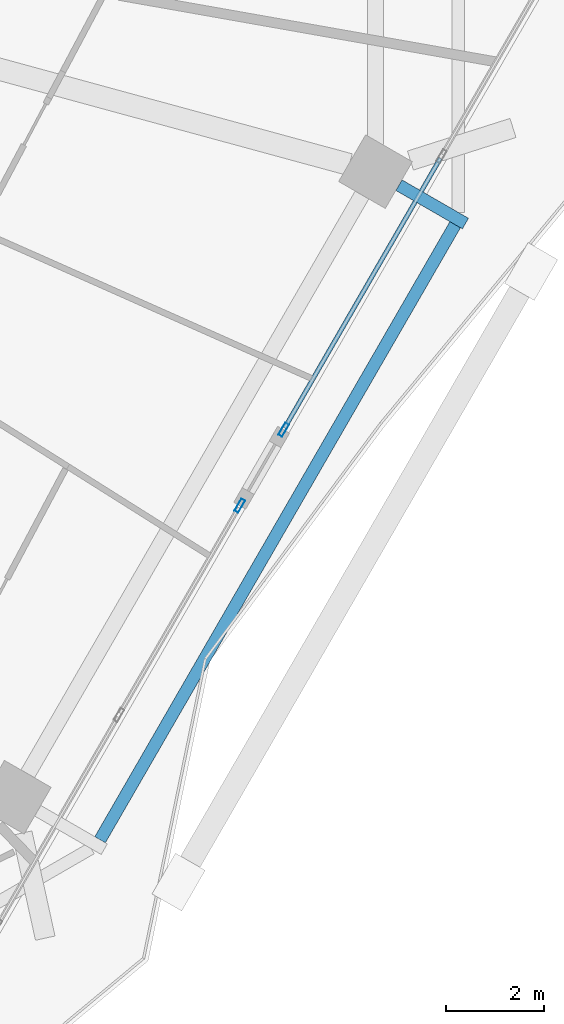
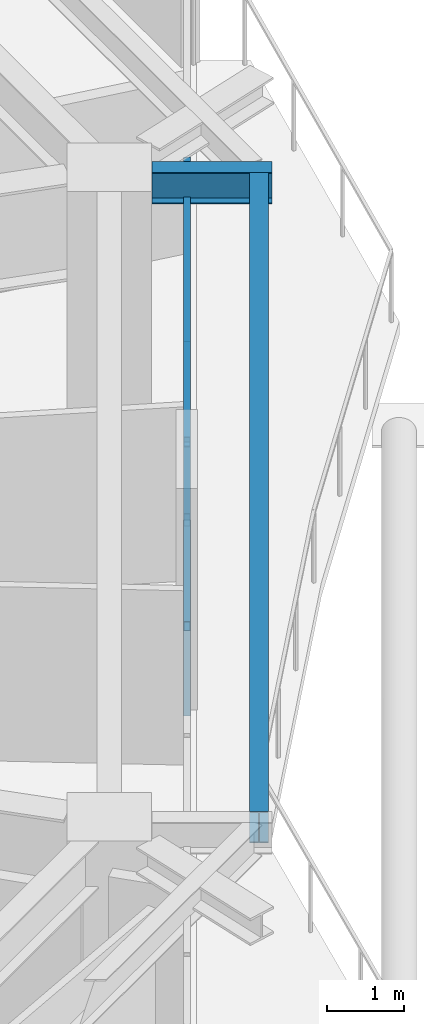
# One storey, part 11 of 33: 4 members, 2 beams, 2 elements without a shape of their own.
"""IFC4 building model written with IfcOpenShell, lengths in metres."""

from ifc_helpers import new_model, si_unit, direction, frame, origin, origin_2d, place, context, subcontext, project, spatial, hollow_rectangle, i_section, extrude, material, material_profile, profile_set, type_object, element, aggregate, save


model = new_model("IFC4")

# Units and contexts
model_context = context("Model", 3, precision=1e-05, world=origin(), true_north=direction((0.0, 1.0)))
body_context = subcontext(model_context, "Body", "Model", "MODEL_VIEW")
ifc_project = project(units=[si_unit("LENGTHUNIT", "METRE"), si_unit("AREAUNIT", "SQUARE_METRE"), si_unit("VOLUMEUNIT", "CUBIC_METRE"), si_unit("PLANEANGLEUNIT", "RADIAN"), si_unit("MASSUNIT", "GRAM", prefix="KILO")], contexts=[model_context])

# Site, building, storey
site_placement = place(None, origin())
site = spatial("IfcSite", under=ifc_project, at=site_placement, CompositionType="ELEMENT")
building_placement = place(site_placement, origin())
building = spatial("IfcBuilding", under=site, at=building_placement, Name="Zuhravey Tower", CompositionType="ELEMENT")
storey_placement = place(building_placement, frame((0.0, 0.0, 141.800048828125)))
storey = spatial("IfcBuildingStorey", under=building, at=storey_placement, Name="L35", CompositionType="ELEMENT", Elevation=141.800048828125)

# Curtain wall, member
ifc_material_1 = material(Name="Thermally broken anodised aluminium", Category="aluminium")
curtain_wall_type = type_object("IfcCurtainWallType", Name="Zone 1-2 Residential Curtain Wall CW3", PredefinedType="NOTDEFINED", material=ifc_material_1)
curtain_wall_1_placement = place(storey_placement, origin())
curtain_wall_1 = element("IfcCurtainWall", 1, at=curtain_wall_1_placement, inside=storey, type_object=curtain_wall_type, Name="L35 CW3 CW-L35-F6-1", PredefinedType="NOTDEFINED")
ifc_material_2 = material(Name="Anodised aluminium", Category="aluminium")
ifc_material_profile_1 = material_profile(ifc_material_2, hollow_rectangle(XDim=0.090087890625, YDim=0.284912109375, WallThickness=0.0048828125, at=origin_2d()), Name="ALU-RHS-90x285x5")
ifc_profile_set_1 = profile_set([ifc_material_profile_1], Name="Anodised aluminium")
member_type_1 = type_object("IfcMemberType", Name="Curtain-Wall Mullion 90x180", PredefinedType="MULLION", material=ifc_profile_set_1)
member_1_placement = place(storey_placement, frame((62.014892578125, 19.14208984375, 0.0), z_axis=(0.0, 0.0, 1.0), x_axis=(0.866026792339, -0.499997594945, 0.0)))
member_1 = element("IfcMember", 2, at=member_1_placement, type_object=member_type_1, Name="CW3 mullion 3", PredefinedType="MULLION", context=body_context, shape_type="SweptSolid", body=[
    extrude(hollow_rectangle(XDim=0.090087890625, YDim=0.284912109375, WallThickness=0.0048828125, at=origin_2d()), origin(), (0.0, 0.0, 1.0), 3.02001953125),
])

curtain_wall_2_placement = place(storey_placement, origin())
curtain_wall_2 = element("IfcCurtainWall", 3, at=curtain_wall_2_placement, inside=storey, type_object=curtain_wall_type, Name="L35 CW3 CW-L35-F6-2", PredefinedType="NOTDEFINED")
member_2_placement = place(storey_placement, frame((61.119873046875, 17.591796875, 0.0), z_axis=(0.0, 0.0, 1.0), x_axis=(0.866023481158, -0.500003330071, 0.0)))
member_2 = element("IfcMember", 4, at=member_2_placement, type_object=member_type_1, Name="CW3 mullion 1", PredefinedType="MULLION", context=body_context, shape_type="SweptSolid", body=[
    extrude(hollow_rectangle(XDim=0.090087890625, YDim=0.284912109375, WallThickness=0.0048828125, at=origin_2d()), origin(), (0.0, 0.0, 1.0), 3.02001953125),
])
aggregate(curtain_wall_2, [member_2])

# Member
ifc_material_profile_2 = material_profile(ifc_material_2, hollow_rectangle(XDim=0.090087890625, YDim=0.14990234375, WallThickness=0.0048828125, at=origin_2d()), Name="ALU-RHS-90x150x5")
ifc_profile_set_2 = profile_set([ifc_material_profile_2], Name="Anodised aluminium")
member_type_2 = type_object("IfcMemberType", Name="Curtain-Wall Transom 90x150", PredefinedType="USERDEFINED", material=ifc_profile_set_2)
member_3_placement = place(storey_placement, frame((65.212890625, 24.681396484375, 0.044921875), z_axis=(-0.499979774126, -0.866037080884, 0.0), x_axis=(0.866037080884, -0.499979774126, 0.0)))
member_3 = element("IfcMember", 5, at=member_3_placement, type_object=member_type_2, Name="CW3 transom 2.1", ObjectType="TRANSOM", PredefinedType="USERDEFINED", context=body_context, shape_type="SweptSolid", body=[
    extrude(hollow_rectangle(XDim=0.090087890625, YDim=0.14990234375, WallThickness=0.0048828125, at=origin_2d()), origin(), (0.0, 0.0, 1.0), 6.351318359375),
])

member_4_placement = place(storey_placement, frame((65.212890625, 24.681396484375, 2.974853515625), z_axis=(-0.499979774126, -0.866037080884, 0.0), x_axis=(0.866037080884, -0.499979774126, 0.0)))
member_4 = element("IfcMember", 6, at=member_4_placement, type_object=member_type_2, Name="CW3 transom 2.2", ObjectType="TRANSOM", PredefinedType="USERDEFINED", context=body_context, shape_type="SweptSolid", body=[
    extrude(hollow_rectangle(XDim=0.090087890625, YDim=0.14990234375, WallThickness=0.0048828125, at=origin_2d()), origin(), (0.0, 0.0, 1.0), 6.351318359375),
])

aggregate(curtain_wall_1, [member_1, member_3, member_4])

# Beams
ifc_material_3 = material(Name="Steel SM355", Category="steel")
ifc_material_profile_3 = material_profile(ifc_material_3, i_section(OverallWidth=0.25, OverallDepth=0.5, WebThickness=0.010009765625, FlangeThickness=0.01611328125, at=origin_2d()), Name="H-500x250x10x16")
ifc_profile_set_3 = profile_set([ifc_material_profile_3], Name="Steel SM355")
beam_type = type_object("IfcBeamType", Name="Tray Cantilever Spandrel H500x250", PredefinedType="SPANDREL", material=ifc_profile_set_3)
beam_1_placement = place(storey_placement, frame((64.368896484375, 24.13134765625, 3.27001953125), z_axis=(0.86603760523, -0.499978865881, 0.0), x_axis=(0.499978865881, 0.86603760523, 0.0)))
element("IfcBeam", 7, at=beam_1_placement, inside=storey, type_object=beam_type, Name="L35 Sky-Tray Cantilever Arm TSB1-R12", PredefinedType="SPANDREL", context=body_context, shape_type="SweptSolid", body=[
    extrude(i_section(OverallWidth=0.25, OverallDepth=0.5, WebThickness=0.010009765625, FlangeThickness=0.01611328125, at=origin_2d()), origin(), (0.0, 0.0, 1.0), 1.56591796875),
])
beam_2_placement = place(storey_placement, frame((58.269287109375, 10.774658203125, 3.27001953125), z_axis=(0.500001430823, 0.866024577697, 0.0), x_axis=(-0.866024577697, 0.500001430823, 0.0)))
element("IfcBeam", 8, at=beam_2_placement, inside=storey, type_object=beam_type, Name="L35 Sky-Tray Edge Spandrel TSB1-11", PredefinedType="SPANDREL", context=body_context, shape_type="SweptSolid", body=[
    extrude(i_section(OverallWidth=0.25, OverallDepth=0.5, WebThickness=0.010009765625, FlangeThickness=0.01611328125, at=origin_2d()), origin(), (0.0, 0.0, 1.0), 14.494140625),
])

save(model, "model.ifc")
